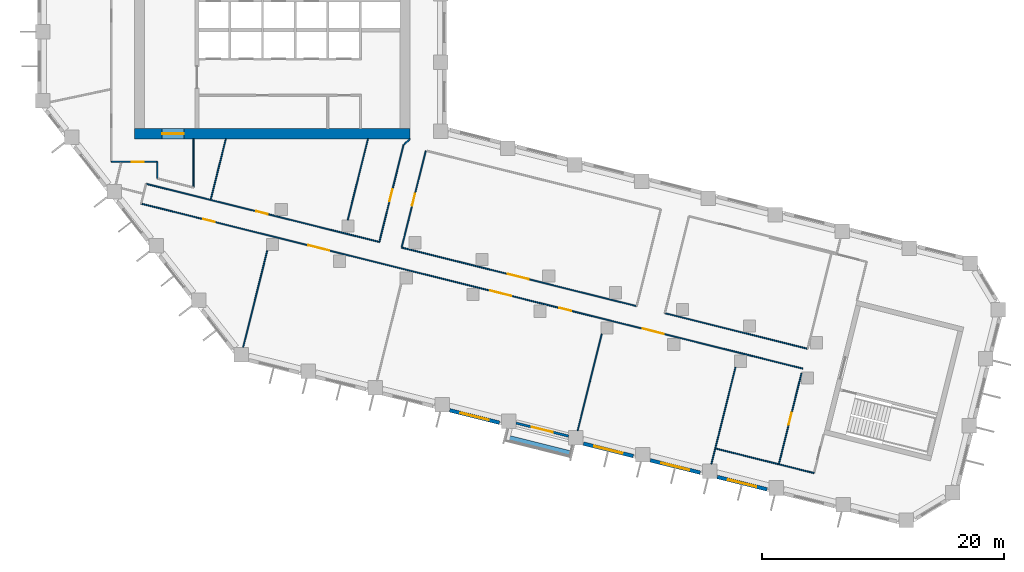
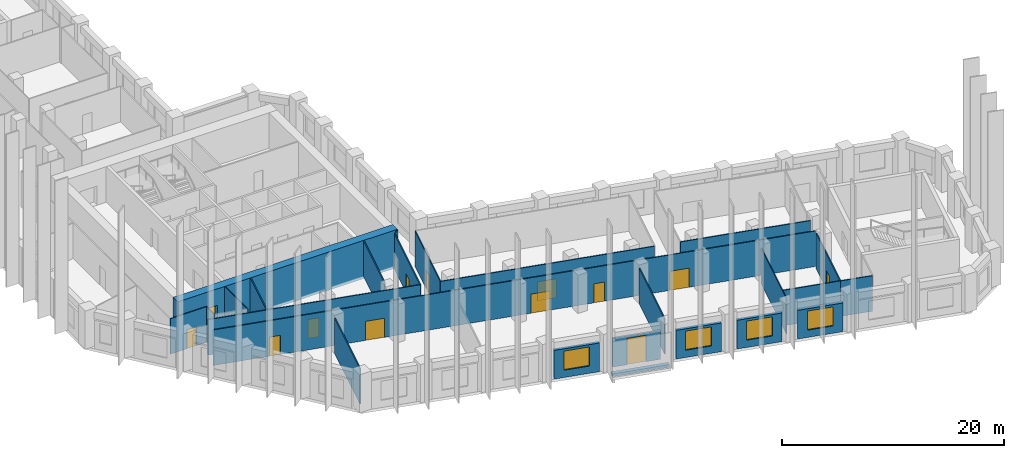
# One storey, part 3 of 10: 25 walls, 13 doors, 4 windows, 17 openings.
"""IFC4 building model written with IfcOpenShell, lengths in metres."""

from ifc_helpers import new_model, si_unit, direction, frame, frame_2d, origin, place, context, subcontext, project, spatial, rectangle, extrude, material, layer, layer_set, type_object, element, fill, save


model = new_model("IFC4")

# Units and contexts
model_context = context("Model", 3, precision=1e-05, world=origin(), true_north=direction((0.0, 1.0)))
body_context = subcontext(model_context, "Body", "Model", "MODEL_VIEW")
ifc_project = project(units=[si_unit("LENGTHUNIT", "METRE"), si_unit("AREAUNIT", "SQUARE_METRE"), si_unit("VOLUMEUNIT", "CUBIC_METRE"), si_unit("PLANEANGLEUNIT", "RADIAN"), si_unit("MASSUNIT", "GRAM", prefix="KILO")], contexts=[model_context])

# Site, building, storey
site_placement = place(None, origin())
site = spatial("IfcSite", under=ifc_project, at=site_placement, CompositionType="ELEMENT")
building_placement = place(site_placement, origin())
building = spatial("IfcBuilding", under=site, at=building_placement, Name="Meshkara Civic Tower", CompositionType="ELEMENT")
storey_placement = place(building_placement, frame((0.0, 0.0, 178.199951171875)))
storey = spatial("IfcBuildingStorey", under=building, at=storey_placement, Name="L40", CompositionType="ELEMENT", Elevation=178.199951171875)

# Wall, opening, door
ifc_material_1 = material(Name="Concrete C70", Category="concrete")
ifc_layer_1 = layer(ifc_material_1, 0.85009765625)
ifc_layer_set_1 = layer_set([ifc_layer_1], Name="Core ring wall 850 C70")
wall_type_1 = type_object("IfcWallType", Name="Core ring wall 850 C70", PredefinedType="SHEAR", material=ifc_layer_set_1)
wall_1_placement = place(storey_placement, frame((8.0, 14.52490234375, -0.300048828125), z_axis=(0.0, 0.0, 1.0), x_axis=(1.0, 0.0, 0.0)))
wall_1 = element("IfcWall", 1, at=wall_1_placement, inside=storey, type_object=wall_type_1, Name="L40-C001", PredefinedType="SHEAR", context=body_context, shape_type="SweptSolid", body=[
    extrude(rectangle(XDim=22.800048828125, YDim=0.85009765625, at=frame_2d((11.39990234375, 0.0))), origin(), (0.0, 0.0, 1.0), 4.2001953125),
])
opening_1_placement = place(wall_1_placement, frame((2.300048828125, 0.0, 0.300048828125)))
opening_1 = element("IfcOpeningElement", 2, at=opening_1_placement, cuts=wall_1, Name="Opening L40-K020", PredefinedType="OPENING", context=body_context, shape_type="SweptSolid", body=[
    extrude(rectangle(XDim=1.800048828125, YDim=2.10009765625, at=frame_2d((0.89990234375, 1.050048828125))), frame((0.0, 0.43505859375, 0.0), z_axis=(0.0, -1.0, 0.0), x_axis=(1.0, 0.0, 0.0)), (0.0, 0.0, 1.0), 0.8701171875),
])
ifc_material_2 = material(Name="Fire-rated door leaf in steel frame", Category="steel")
door_type_1 = type_object("IfcDoorType", Name="Core double door 1800 EI 60", OperationType="DOUBLE_DOOR_SINGLE_SWING", PredefinedType="DOOR", material=ifc_material_2)
door_1_placement = place(opening_1_placement, origin())
door_1 = element("IfcDoor", 3, at=door_1_placement, inside=storey, type_object=door_type_1, Name="L40-K020", OperationType="DOUBLE_DOOR_SINGLE_SWING", OverallHeight=2.10009765625, OverallWidth=1.800048828125, PredefinedType="DOOR", context=body_context, shape_type="SweptSolid", body=[
    extrude(rectangle(XDim=1.800048828125, YDim=2.10009765625, at=frame_2d((0.89990234375, 1.050048828125))), frame((0.0, 0.02490234375, 0.0), z_axis=(0.0, -1.0, 0.0), x_axis=(1.0, 0.0, 0.0)), (0.0, 0.0, 1.0), 0.050048828125),
])
fill(opening_1, door_1)

ifc_material_3 = material(Name="Corridor wall 100")
ifc_layer_2 = layer(ifc_material_3, 0.10009765625)
ifc_layer_set_2 = layer_set([ifc_layer_2], Name="Corridor wall 100")
wall_type_2 = type_object("IfcWallType", Name="Corridor wall 100", PredefinedType="PARTITIONING", material=ifc_layer_set_2)
wall_2_placement = place(storey_placement, frame((6.10009765625, 12.199951171875, 0.0), z_axis=(0.0, 0.0, 1.0), x_axis=(1.0, 0.0, 0.0)))
wall_2 = element("IfcWall", 4, at=wall_2_placement, inside=storey, type_object=wall_type_2, Name="L40-W005", PredefinedType="PARTITIONING", context=body_context, shape_type="SweptSolid", body=[
    extrude(rectangle(XDim=3.7998046875, YDim=0.10009765625, at=frame_2d((1.89990234375, 0.0))), origin(), (0.0, 0.0, 1.0), 3.900146484375),
])
opening_2_placement = place(wall_2_placement, frame((1.701904296875, 0.0, 0.0)))
opening_2 = element("IfcOpeningElement", 5, at=opening_2_placement, cuts=wall_2, Name="Opening L40-D015", PredefinedType="OPENING", context=body_context, shape_type="SweptSolid", body=[
    extrude(rectangle(XDim=1.0, YDim=2.10009765625, at=frame_2d((0.5, 1.050048828125))), frame((0.0, 0.06005859375, 0.0), z_axis=(0.0, -1.0, 0.0), x_axis=(1.0, 0.0, 0.0)), (0.0, 0.0, 1.0), 0.1201171875),
])
ifc_material_4 = material(Name="Door 1000 x 2100")
door_type_2 = type_object("IfcDoorType", Name="Door 1000 x 2100", OperationType="SINGLE_SWING_LEFT", PredefinedType="DOOR", material=ifc_material_4)
door_2_placement = place(opening_2_placement, origin())
door_2 = element("IfcDoor", 6, at=door_2_placement, inside=storey, type_object=door_type_2, Name="L40-D015", OperationType="SINGLE_SWING_RIGHT", OverallHeight=2.10009765625, OverallWidth=1.0, PredefinedType="DOOR", context=body_context, shape_type="SweptSolid", body=[
    extrude(rectangle(XDim=1.0, YDim=2.10009765625, at=frame_2d((0.5, 1.050048828125))), frame((0.0, 0.02490234375, 0.0), z_axis=(0.0, -1.0, 0.0), x_axis=(1.0, 0.0, 0.0)), (0.0, 0.0, 1.0), 0.050048828125),
])
fill(opening_2, door_2)

# Wall, openings, doors
wall_3_placement = place(storey_placement, frame((8.56494140625, 8.743896484375, 0.0), z_axis=(0.0, 0.0, 1.0), x_axis=(0.97029693432, -0.24191705035, 0.0)))
wall_3 = element("IfcWall", 7, at=wall_3_placement, inside=storey, type_object=wall_type_2, Name="L40-W006", PredefinedType="PARTITIONING", context=body_context, shape_type="SweptSolid", body=[
    extrude(rectangle(XDim=56.37451171875, YDim=0.10009765625, at=frame_2d((28.187255859375, 0.0))), origin(), (0.0, 0.0, 1.0), 3.900146484375),
])
opening_3_placement = place(wall_3_placement, frame((42.739013671875, 0.0, 0.0)))
opening_3 = element("IfcOpeningElement", 8, at=opening_3_placement, cuts=wall_3, Name="Opening L40-D003", PredefinedType="OPENING", context=body_context, shape_type="SweptSolid", body=[
    extrude(rectangle(XDim=1.800048828125, YDim=2.10009765625, at=frame_2d((0.89990234375, 1.050048828125))), frame((0.0, 0.06005859375, 0.0), z_axis=(0.0, -1.0, 0.0), x_axis=(1.0, 0.0, 0.0)), (0.0, 0.0, 1.0), 0.1201171875),
])
opening_4_placement = place(wall_3_placement, frame((14.239013671875, 0.0, 0.0)))
opening_4 = element("IfcOpeningElement", 9, at=opening_4_placement, cuts=wall_3, Name="Opening L40-D004", PredefinedType="OPENING", context=body_context, shape_type="SweptSolid", body=[
    extrude(rectangle(XDim=1.800048828125, YDim=2.10009765625, at=frame_2d((0.89990234375, 1.050048828125))), frame((0.0, 0.06005859375, 0.0), z_axis=(0.0, -1.0, 0.0), x_axis=(1.0, 0.0, 0.0)), (0.0, 0.0, 1.0), 0.1201171875),
])
opening_5_placement = place(wall_3_placement, frame((29.739990234375, 0.0, 0.0)))
opening_5 = element("IfcOpeningElement", 10, at=opening_5_placement, cuts=wall_3, Name="Opening L40-D005", PredefinedType="OPENING", context=body_context, shape_type="SweptSolid", body=[
    extrude(rectangle(XDim=1.800048828125, YDim=2.10009765625, at=frame_2d((0.89990234375, 1.050048828125))), frame((0.0, 0.06005859375, 0.0), z_axis=(0.0, -1.0, 0.0), x_axis=(1.0, 0.0, 0.0)), (0.0, 0.0, 1.0), 0.1201171875),
])
opening_6_placement = place(wall_3_placement, frame((35.639892578125, 0.0, 0.0)))
opening_6 = element("IfcOpeningElement", 11, at=opening_6_placement, cuts=wall_3, Name="Opening L40-D007", PredefinedType="OPENING", context=body_context, shape_type="SweptSolid", body=[
    extrude(rectangle(XDim=1.0, YDim=2.10009765625, at=frame_2d((0.5, 1.050048828125))), frame((0.0, 0.06005859375, 0.0), z_axis=(0.0, -1.0, 0.0), x_axis=(1.0, 0.0, 0.0)), (0.0, 0.0, 1.0), 0.1201171875),
])
opening_7_placement = place(wall_3_placement, frame((5.280029296875, 0.0, 0.0)))
opening_7 = element("IfcOpeningElement", 12, at=opening_7_placement, cuts=wall_3, Name="Opening L40-D009", PredefinedType="OPENING", context=body_context, shape_type="SweptSolid", body=[
    extrude(rectangle(XDim=1.0, YDim=2.10009765625, at=frame_2d((0.5, 1.050048828125))), frame((0.0, 0.06005859375, 0.0), z_axis=(0.0, -1.0, 0.0), x_axis=(1.0, 0.0, 0.0)), (0.0, 0.0, 1.0), 0.1201171875),
])
door_3_placement = place(opening_6_placement, origin())
door_3 = element("IfcDoor", 13, at=door_3_placement, inside=storey, type_object=door_type_2, Name="L40-D007", OperationType="SINGLE_SWING_LEFT", OverallHeight=2.10009765625, OverallWidth=1.0, PredefinedType="DOOR", context=body_context, shape_type="SweptSolid", body=[
    extrude(rectangle(XDim=1.0, YDim=2.10009765625, at=frame_2d((0.5, 1.050048828125))), frame((0.0, 0.02490234375, 0.0), z_axis=(0.0, -1.0, 0.0), x_axis=(1.0, 0.0, 0.0)), (0.0, 0.0, 1.0), 0.050048828125),
])
fill(opening_6, door_3)
door_4_placement = place(opening_7_placement, origin())
door_4 = element("IfcDoor", 14, at=door_4_placement, inside=storey, type_object=door_type_2, Name="L40-D009", OperationType="SINGLE_SWING_LEFT", OverallHeight=2.10009765625, OverallWidth=1.0, PredefinedType="DOOR", context=body_context, shape_type="SweptSolid", body=[
    extrude(rectangle(XDim=1.0, YDim=2.10009765625, at=frame_2d((0.5, 1.050048828125))), frame((0.0, 0.02490234375, 0.0), z_axis=(0.0, -1.0, 0.0), x_axis=(1.0, 0.0, 0.0)), (0.0, 0.0, 1.0), 0.050048828125),
])
fill(opening_7, door_4)
ifc_material_5 = material(Name="Door pair 1800 x 2100")
door_type_3 = type_object("IfcDoorType", Name="Door pair 1800 x 2100", OperationType="SINGLE_SWING_LEFT", PredefinedType="DOOR", material=ifc_material_5)
door_5_placement = place(opening_3_placement, origin())
door_5 = element("IfcDoor", 15, at=door_5_placement, inside=storey, type_object=door_type_3, Name="L40-D003", OperationType="DOUBLE_DOOR_SINGLE_SWING", OverallHeight=2.10009765625, OverallWidth=1.800048828125, PredefinedType="DOOR", context=body_context, shape_type="SweptSolid", body=[
    extrude(rectangle(XDim=1.800048828125, YDim=2.10009765625, at=frame_2d((0.89990234375, 1.050048828125))), frame((0.0, 0.02490234375, 0.0), z_axis=(0.0, -1.0, 0.0), x_axis=(1.0, 0.0, 0.0)), (0.0, 0.0, 1.0), 0.050048828125),
])
fill(opening_3, door_5)
door_6_placement = place(opening_4_placement, origin())
door_6 = element("IfcDoor", 16, at=door_6_placement, inside=storey, type_object=door_type_3, Name="L40-D004", OperationType="DOUBLE_DOOR_SINGLE_SWING", OverallHeight=2.10009765625, OverallWidth=1.800048828125, PredefinedType="DOOR", context=body_context, shape_type="SweptSolid", body=[
    extrude(rectangle(XDim=1.800048828125, YDim=2.10009765625, at=frame_2d((0.89990234375, 1.050048828125))), frame((0.0, 0.02490234375, 0.0), z_axis=(0.0, -1.0, 0.0), x_axis=(1.0, 0.0, 0.0)), (0.0, 0.0, 1.0), 0.050048828125),
])
fill(opening_4, door_6)
door_7_placement = place(opening_5_placement, origin())
door_7 = element("IfcDoor", 17, at=door_7_placement, inside=storey, type_object=door_type_3, Name="L40-D005", OperationType="DOUBLE_DOOR_SINGLE_SWING", OverallHeight=2.10009765625, OverallWidth=1.800048828125, PredefinedType="DOOR", context=body_context, shape_type="SweptSolid", body=[
    extrude(rectangle(XDim=1.800048828125, YDim=2.10009765625, at=frame_2d((0.89990234375, 1.050048828125))), frame((0.0, 0.02490234375, 0.0), z_axis=(0.0, -1.0, 0.0), x_axis=(1.0, 0.0, 0.0)), (0.0, 0.0, 1.0), 0.050048828125),
])
fill(opening_5, door_7)

# Wall, opening, door
wall_4_placement = place(storey_placement, frame((8.972900390625, 10.382080078125, 0.0), z_axis=(0.0, 0.0, 1.0), x_axis=(0.970286808807, -0.241957658808, 0.0)))
wall_4 = element("IfcWall", 18, at=wall_4_placement, inside=storey, type_object=wall_type_2, Name="L40-W007", PredefinedType="PARTITIONING", context=body_context, shape_type="SweptSolid", body=[
    extrude(rectangle(XDim=19.879638671875, YDim=0.10009765625, at=frame_2d((9.93994140625, 0.0))), origin(), (0.0, 0.0, 1.0), 3.900146484375),
])
opening_8_placement = place(wall_4_placement, frame((9.384033203125, 0.0, 0.0)))
opening_8 = element("IfcOpeningElement", 19, at=opening_8_placement, cuts=wall_4, Name="Opening L40-D010", PredefinedType="OPENING", context=body_context, shape_type="SweptSolid", body=[
    extrude(rectangle(XDim=1.0, YDim=2.10009765625, at=frame_2d((0.5, 1.050048828125))), frame((0.0, 0.06005859375, 0.0), z_axis=(0.0, -1.0, 0.0), x_axis=(1.0, 0.0, 0.0)), (0.0, 0.0, 1.0), 0.1201171875),
])
door_8_placement = place(opening_8_placement, origin())
door_8 = element("IfcDoor", 20, at=door_8_placement, inside=storey, type_object=door_type_2, Name="L40-D010", OperationType="SINGLE_SWING_LEFT", OverallHeight=2.10009765625, OverallWidth=1.0, PredefinedType="DOOR", context=body_context, shape_type="SweptSolid", body=[
    extrude(rectangle(XDim=1.0, YDim=2.10009765625, at=frame_2d((0.5, 1.050048828125))), frame((0.0, 0.02490234375, 0.0), z_axis=(0.0, -1.0, 0.0), x_axis=(1.0, 0.0, 0.0)), (0.0, 0.0, 1.0), 0.050048828125),
])
fill(opening_8, door_8)

# Walls
wall_5_placement = place(storey_placement, frame((9.89990234375, 12.199951171875, 0.0), z_axis=(0.0, 0.0, 1.0), x_axis=(0.0, -1.0, 0.0)))
element("IfcWall", 21, at=wall_5_placement, inside=storey, type_object=wall_type_2, Name="L40-W010", PredefinedType="PARTITIONING", context=body_context, shape_type="SweptSolid", body=[
    extrude(rectangle(XDim=1.3740234375, YDim=0.10009765625, at=frame_2d((0.68701171875, 0.0))), origin(), (0.0, 0.0, 1.0), 3.900146484375),
])
wall_6_placement = place(storey_placement, frame((12.89990234375, 10.077880859375, 0.0), z_axis=(0.0, 0.0, 1.0), x_axis=(0.0, 1.0, 0.0)))
element("IfcWall", 22, at=wall_6_placement, inside=storey, type_object=wall_type_2, Name="L40-W016", PredefinedType="PARTITIONING", context=body_context, shape_type="SweptSolid", body=[
    extrude(rectangle(XDim=4.022216796875, YDim=0.10009765625, at=frame_2d((2.01123046875, 0.0))), origin(), (0.0, 0.0, 1.0), 3.900146484375),
])

# Wall, opening, door
wall_7_placement = place(storey_placement, frame((30.10498046875, 5.113037109375, 0.0), z_axis=(0.0, 0.0, 1.0), x_axis=(0.241984285369, 0.970280168629, 0.0)))
wall_7 = element("IfcWall", 23, at=wall_7_placement, inside=storey, type_object=wall_type_2, Name="L40-W026", PredefinedType="PARTITIONING", context=body_context, shape_type="SweptSolid", body=[
    extrude(rectangle(XDim=8.231689453125, YDim=0.10009765625, at=frame_2d((4.11572265625, 0.0))), origin(), (0.0, 0.0, 1.0), 3.900146484375),
])
opening_9_placement = place(wall_7_placement, frame((3.580078125, 0.0, 0.0)))
opening_9 = element("IfcOpeningElement", 24, at=opening_9_placement, cuts=wall_7, Name="Opening L40-D012", PredefinedType="OPENING", context=body_context, shape_type="SweptSolid", body=[
    extrude(rectangle(XDim=1.0, YDim=2.10009765625, at=frame_2d((0.5, 1.050048828125))), frame((0.0, 0.06005859375, 0.0), z_axis=(0.0, -1.0, 0.0), x_axis=(1.0, 0.0, 0.0)), (0.0, 0.0, 1.0), 0.1201171875),
])
door_9_placement = place(opening_9_placement, origin())
door_9 = element("IfcDoor", 25, at=door_9_placement, inside=storey, type_object=door_type_2, Name="L40-D012", OperationType="SINGLE_SWING_RIGHT", OverallHeight=2.10009765625, OverallWidth=1.0, PredefinedType="DOOR", context=body_context, shape_type="SweptSolid", body=[
    extrude(rectangle(XDim=1.0, YDim=2.10009765625, at=frame_2d((0.5, 1.050048828125))), frame((0.0, 0.02490234375, 0.0), z_axis=(0.0, -1.0, 0.0), x_axis=(1.0, 0.0, 0.0)), (0.0, 0.0, 1.0), 0.050048828125),
])
fill(opening_9, door_9)

wall_8_placement = place(storey_placement, frame((30.259033203125, 13.5830078125, 0.0), z_axis=(0.0, 0.0, 1.0), x_axis=(-0.241888494143, -0.970304053584, 0.0)))
wall_8 = element("IfcWall", 26, at=wall_8_placement, inside=storey, type_object=wall_type_2, Name="L40-W027", PredefinedType="PARTITIONING", context=body_context, shape_type="SweptSolid", body=[
    extrude(rectangle(XDim=8.256103515625, YDim=0.10009765625, at=frame_2d((4.1279296875, 0.0))), origin(), (0.0, 0.0, 1.0), 3.900146484375),
])
opening_10_placement = place(wall_8_placement, frame((3.780029296875, 0.0, 0.0)))
opening_10 = element("IfcOpeningElement", 27, at=opening_10_placement, cuts=wall_8, Name="Opening L40-D011", PredefinedType="OPENING", context=body_context, shape_type="SweptSolid", body=[
    extrude(rectangle(XDim=1.0, YDim=2.10009765625, at=frame_2d((0.5, 1.050048828125))), frame((0.0, 0.06005859375, 0.0), z_axis=(0.0, -1.0, 0.0), x_axis=(1.0, 0.0, 0.0)), (0.0, 0.0, 1.0), 0.1201171875),
])
door_10_placement = place(opening_10_placement, origin())
door_10 = element("IfcDoor", 28, at=door_10_placement, inside=storey, type_object=door_type_2, Name="L40-D011", OperationType="SINGLE_SWING_LEFT", OverallHeight=2.10009765625, OverallWidth=1.0, PredefinedType="DOOR", context=body_context, shape_type="SweptSolid", body=[
    extrude(rectangle(XDim=1.0, YDim=2.10009765625, at=frame_2d((0.5, 1.050048828125))), frame((0.0, 0.02490234375, 0.0), z_axis=(0.0, -1.0, 0.0), x_axis=(1.0, 0.0, 0.0)), (0.0, 0.0, 1.0), 0.050048828125),
])
fill(opening_10, door_10)

# Wall
wall_9_placement = place(storey_placement, frame((30.800048828125, 14.10009765625, 0.0), z_axis=(0.0, 0.0, 1.0), x_axis=(-0.722911025189, -0.690941133281, 0.0)))
element("IfcWall", 29, at=wall_9_placement, inside=storey, type_object=wall_type_2, Name="L40-W028", PredefinedType="PARTITIONING", context=body_context, shape_type="SweptSolid", body=[
    extrude(rectangle(XDim=0.748291015625, YDim=0.10009765625, at=frame_2d((0.3740234375, 0.0))), origin(), (0.0, 0.0, 1.0), 3.900146484375),
])

# Wall, opening, door
wall_10_placement = place(storey_placement, frame((49.535888671875, 0.26806640625, 0.0), z_axis=(0.0, 0.0, 1.0), x_axis=(-0.970292195994, 0.241936054348, 0.0)))
wall_10 = element("IfcWall", 30, at=wall_10_placement, inside=storey, type_object=wall_type_2, Name="L40-W030", PredefinedType="PARTITIONING", context=body_context, shape_type="SweptSolid", body=[
    extrude(rectangle(XDim=20.02587890625, YDim=0.10009765625, at=frame_2d((10.012939453125, 0.0))), origin(), (0.0, 0.0, 1.0), 3.900146484375),
])
opening_11_placement = place(wall_10_placement, frame((9.179931640625, 0.0, 0.0)))
opening_11 = element("IfcOpeningElement", 31, at=opening_11_placement, cuts=wall_10, Name="Opening L40-D006", PredefinedType="OPENING", context=body_context, shape_type="SweptSolid", body=[
    extrude(rectangle(XDim=1.800048828125, YDim=2.10009765625, at=frame_2d((0.89990234375, 1.050048828125))), frame((0.0, 0.06005859375, 0.0), z_axis=(0.0, -1.0, 0.0), x_axis=(1.0, 0.0, 0.0)), (0.0, 0.0, 1.0), 0.1201171875),
])
door_11_placement = place(opening_11_placement, origin())
door_11 = element("IfcDoor", 32, at=door_11_placement, inside=storey, type_object=door_type_3, Name="L40-D006", OperationType="DOUBLE_DOOR_SINGLE_SWING", OverallHeight=2.10009765625, OverallWidth=1.800048828125, PredefinedType="DOOR", context=body_context, shape_type="SweptSolid", body=[
    extrude(rectangle(XDim=1.800048828125, YDim=2.10009765625, at=frame_2d((0.89990234375, 1.050048828125))), frame((0.0, 0.02490234375, 0.0), z_axis=(0.0, -1.0, 0.0), x_axis=(1.0, 0.0, 0.0)), (0.0, 0.0, 1.0), 0.050048828125),
])
fill(opening_11, door_11)

# Wall
wall_11_placement = place(storey_placement, frame((61.2919921875, -12.80810546875, 0.0), z_axis=(0.0, 0.0, 1.0), x_axis=(0.970290716908, -0.241941986192, 0.0)))
element("IfcWall", 33, at=wall_11_placement, inside=storey, type_object=wall_type_2, Name="L40-W034", PredefinedType="PARTITIONING", context=body_context, shape_type="SweptSolid", body=[
    extrude(rectangle(XDim=3.0, YDim=0.10009765625, at=frame_2d((1.5, 0.0))), origin(), (0.0, 0.0, 1.0), 3.900146484375),
])

# Wall, opening, door
wall_12_placement = place(storey_placement, frame((63.1689453125, -5.279052734375, 0.0), z_axis=(0.0, 0.0, 1.0), x_axis=(-0.241891494948, -0.970303305504, 0.0)))
wall_12 = element("IfcWall", 34, at=wall_12_placement, inside=storey, type_object=wall_type_2, Name="L40-W035", PredefinedType="PARTITIONING", context=body_context, shape_type="SweptSolid", body=[
    extrude(rectangle(XDim=7.759521484375, YDim=0.10009765625, at=frame_2d((3.8798828125, 0.0))), origin(), (0.0, 0.0, 1.0), 3.900146484375),
])
opening_12_placement = place(wall_12_placement, frame((3.3798828125, 0.0, 0.0)))
opening_12 = element("IfcOpeningElement", 35, at=opening_12_placement, cuts=wall_12, Name="Opening L40-D001", PredefinedType="OPENING", context=body_context, shape_type="SweptSolid", body=[
    extrude(rectangle(XDim=1.0, YDim=2.10009765625, at=frame_2d((0.5, 1.050048828125))), frame((0.0, 0.06005859375, 0.0), z_axis=(0.0, -1.0, 0.0), x_axis=(1.0, 0.0, 0.0)), (0.0, 0.0, 1.0), 0.1201171875),
])
door_12_placement = place(opening_12_placement, origin())
door_12 = element("IfcDoor", 36, at=door_12_placement, inside=storey, type_object=door_type_2, Name="L40-D001", OperationType="SINGLE_SWING_LEFT", OverallHeight=2.10009765625, OverallWidth=1.0, PredefinedType="DOOR", context=body_context, shape_type="SweptSolid", body=[
    extrude(rectangle(XDim=1.0, YDim=2.10009765625, at=frame_2d((0.5, 1.050048828125))), frame((0.0, 0.02490234375, 0.0), z_axis=(0.0, -1.0, 0.0), x_axis=(1.0, 0.0, 0.0)), (0.0, 0.0, 1.0), 0.050048828125),
])
fill(opening_12, door_12)

# Wall
wall_13_placement = place(storey_placement, frame((63.674072265625, -3.257080078125, 0.0), z_axis=(0.0, 0.0, 1.0), x_axis=(-0.970300413684, 0.241903094658, 0.0)))
element("IfcWall", 37, at=wall_13_placement, inside=storey, type_object=wall_type_2, Name="L40-W036", PredefinedType="PARTITIONING", context=body_context, shape_type="SweptSolid", body=[
    extrude(rectangle(XDim=12.170654296875, YDim=0.10009765625, at=frame_2d((6.08544921875, 0.0))), origin(), (0.0, 0.0, 1.0), 3.900146484375),
])

# Wall, opening, window
ifc_material_6 = material(Name="Insulated infill panel with bronze anodised aluminium cladding", Category="aluminium")
ifc_layer_3 = layer(ifc_material_6, 0.300048828125)
ifc_layer_set_3 = layer_set([ifc_layer_3], Name="EXTERNAL INFILL WALL 300")
wall_type_3 = type_object("IfcWallType", Name="EXTERNAL INFILL WALL 300", PredefinedType="SOLIDWALL", material=ifc_layer_set_3)
wall_14_placement = place(storey_placement, frame((34.075927734375, -8.342041015625, 0.0), z_axis=(0.0, 0.0, 1.0), x_axis=(0.970318118028, -0.241832069473, 0.0)))
wall_14 = element("IfcWall", 38, at=wall_14_placement, inside=storey, type_object=wall_type_3, Name="External wall", PredefinedType="SOLIDWALL", context=body_context, shape_type="SweptSolid", body=[
    extrude(rectangle(XDim=4.24609375, YDim=0.300048828125, at=frame_2d((2.123046875, 0.0))), origin(), (0.0, 0.0, 1.0), 3.150146484375),
])
opening_13_placement = place(wall_14_placement, frame((0.923095703125, 0.0, 0.800048828125)))
opening_13 = element("IfcOpeningElement", 39, at=opening_13_placement, cuts=wall_14, Name="Opening W7", PredefinedType="OPENING", context=body_context, shape_type="SweptSolid", body=[
    extrude(rectangle(XDim=2.39990234375, YDim=2.10009765625, at=frame_2d((1.199951171875, 1.050048828125))), frame((0.0, 0.159912109375, 0.0), z_axis=(0.0, -1.0, 0.0), x_axis=(1.0, 0.0, 0.0)), (0.0, 0.0, 1.0), 0.320068359375),
])
ifc_material_7 = material(Name="Tinted double glazing", Category="glass")
window_type = type_object("IfcWindowType", Name="WINDOW 2400x2100", PartitioningType="DOUBLE_PANEL_VERTICAL", PredefinedType="WINDOW", material=ifc_material_7)
window_1_placement = place(opening_13_placement, origin())
window_1 = element("IfcWindow", 40, at=window_1_placement, inside=storey, type_object=window_type, Name="Window", OverallHeight=2.10009765625, OverallWidth=2.39990234375, PartitioningType="DOUBLE_PANEL_VERTICAL", PredefinedType="WINDOW", context=body_context, shape_type="SweptSolid", body=[
    extrude(rectangle(XDim=2.39990234375, YDim=2.10009765625, at=frame_2d((1.199951171875, 1.050048828125))), frame((0.0, 0.030029296875, 0.0), z_axis=(0.0, -1.0, 0.0), x_axis=(1.0, 0.0, 0.0)), (0.0, 0.0, 1.0), 0.06005859375),
])
fill(opening_13, window_1)

wall_15_placement = place(storey_placement, frame((45.137939453125, -11.09912109375, 0.0), z_axis=(0.0, 0.0, 1.0), x_axis=(0.970304663212, -0.241886048688, 0.0)))
wall_15 = element("IfcWall", 41, at=wall_15_placement, inside=storey, type_object=wall_type_3, Name="External wall", PredefinedType="SOLIDWALL", context=body_context, shape_type="SweptSolid", body=[
    extrude(rectangle(XDim=4.2451171875, YDim=0.300048828125, at=frame_2d((2.12255859375, 0.0))), origin(), (0.0, 0.0, 1.0), 3.150146484375),
])
opening_14_placement = place(wall_15_placement, frame((0.922119140625, 0.0, 0.800048828125)))
opening_14 = element("IfcOpeningElement", 42, at=opening_14_placement, cuts=wall_15, Name="Opening W7", PredefinedType="OPENING", context=body_context, shape_type="SweptSolid", body=[
    extrude(rectangle(XDim=2.39990234375, YDim=2.10009765625, at=frame_2d((1.199951171875, 1.050048828125))), frame((0.0, 0.159912109375, 0.0), z_axis=(0.0, -1.0, 0.0), x_axis=(1.0, 0.0, 0.0)), (0.0, 0.0, 1.0), 0.320068359375),
])
window_2_placement = place(opening_14_placement, origin())
window_2 = element("IfcWindow", 43, at=window_2_placement, inside=storey, type_object=window_type, Name="Window", OverallHeight=2.10009765625, OverallWidth=2.39990234375, PartitioningType="DOUBLE_PANEL_VERTICAL", PredefinedType="WINDOW", context=body_context, shape_type="SweptSolid", body=[
    extrude(rectangle(XDim=2.39990234375, YDim=2.10009765625, at=frame_2d((1.199951171875, 1.050048828125))), frame((0.0, 0.030029296875, 0.0), z_axis=(0.0, -1.0, 0.0), x_axis=(1.0, 0.0, 0.0)), (0.0, 0.0, 1.0), 0.06005859375),
])
fill(opening_14, window_2)

wall_16_placement = place(storey_placement, frame((50.66796875, -12.47802734375, 0.0), z_axis=(0.0, 0.0, 1.0), x_axis=(0.970318118028, -0.241832069473, 0.0)))
wall_16 = element("IfcWall", 44, at=wall_16_placement, inside=storey, type_object=wall_type_3, Name="External wall", PredefinedType="SOLIDWALL", context=body_context, shape_type="SweptSolid", body=[
    extrude(rectangle(XDim=4.24609375, YDim=0.300048828125, at=frame_2d((2.123046875, 0.0))), origin(), (0.0, 0.0, 1.0), 3.150146484375),
])
opening_15_placement = place(wall_16_placement, frame((0.923095703125, 0.0, 0.800048828125)))
opening_15 = element("IfcOpeningElement", 45, at=opening_15_placement, cuts=wall_16, Name="Opening W7", PredefinedType="OPENING", context=body_context, shape_type="SweptSolid", body=[
    extrude(rectangle(XDim=2.39990234375, YDim=2.10009765625, at=frame_2d((1.199951171875, 1.050048828125))), frame((0.0, 0.159912109375, 0.0), z_axis=(0.0, -1.0, 0.0), x_axis=(1.0, 0.0, 0.0)), (0.0, 0.0, 1.0), 0.320068359375),
])
window_3_placement = place(opening_15_placement, origin())
window_3 = element("IfcWindow", 46, at=window_3_placement, inside=storey, type_object=window_type, Name="Window", OverallHeight=2.10009765625, OverallWidth=2.39990234375, PartitioningType="DOUBLE_PANEL_VERTICAL", PredefinedType="WINDOW", context=body_context, shape_type="SweptSolid", body=[
    extrude(rectangle(XDim=2.39990234375, YDim=2.10009765625, at=frame_2d((1.199951171875, 1.050048828125))), frame((0.0, 0.030029296875, 0.0), z_axis=(0.0, -1.0, 0.0), x_axis=(1.0, 0.0, 0.0)), (0.0, 0.0, 1.0), 0.06005859375),
])
fill(opening_15, window_3)

wall_17_placement = place(storey_placement, frame((56.198974609375, -13.85693359375, 0.0), z_axis=(0.0, 0.0, 1.0), x_axis=(0.97030462482, -0.241886202691, 0.0)))
wall_17 = element("IfcWall", 47, at=wall_17_placement, inside=storey, type_object=wall_type_3, Name="External wall", PredefinedType="SOLIDWALL", context=body_context, shape_type="SweptSolid", body=[
    extrude(rectangle(XDim=4.24609375, YDim=0.300048828125, at=frame_2d((2.123046875, 0.0))), origin(), (0.0, 0.0, 1.0), 3.150146484375),
])
opening_16_placement = place(wall_17_placement, frame((0.923095703125, 0.0, 0.800048828125)))
opening_16 = element("IfcOpeningElement", 48, at=opening_16_placement, cuts=wall_17, Name="Opening W7", PredefinedType="OPENING", context=body_context, shape_type="SweptSolid", body=[
    extrude(rectangle(XDim=2.39990234375, YDim=2.10009765625, at=frame_2d((1.199951171875, 1.050048828125))), frame((0.0, 0.159912109375, 0.0), z_axis=(0.0, -1.0, 0.0), x_axis=(1.0, 0.0, 0.0)), (0.0, 0.0, 1.0), 0.320068359375),
])
window_4_placement = place(opening_16_placement, origin())
window_4 = element("IfcWindow", 49, at=window_4_placement, inside=storey, type_object=window_type, Name="Window", OverallHeight=2.10009765625, OverallWidth=2.39990234375, PartitioningType="DOUBLE_PANEL_VERTICAL", PredefinedType="WINDOW", context=body_context, shape_type="SweptSolid", body=[
    extrude(rectangle(XDim=2.39990234375, YDim=2.10009765625, at=frame_2d((1.199951171875, 1.050048828125))), frame((0.0, 0.030029296875, 0.0), z_axis=(0.0, -1.0, 0.0), x_axis=(1.0, 0.0, 0.0)), (0.0, 0.0, 1.0), 0.06005859375),
])
fill(opening_16, window_4)

# Wall, opening, door
ifc_material_8 = material(Name="Insulated infill panel with bronze anodised aluminium cladding", Category="aluminium")
ifc_layer_4 = layer(ifc_material_8, 0.199951171875)
ifc_layer_set_4 = layer_set([ifc_layer_4], Name="LOGGIA BACK WALL 200")
wall_type_4 = type_object("IfcWallType", Name="LOGGIA BACK WALL 200", PredefinedType="SOLIDWALL", material=ifc_layer_set_4)
wall_18_placement = place(storey_placement, frame((39.573974609375, -9.403076171875, 0.0), z_axis=(0.0, 0.0, 1.0), x_axis=(0.970296737599, -0.241917839369, 0.0)))
wall_18 = element("IfcWall", 50, at=wall_18_placement, inside=storey, type_object=wall_type_4, Name="Loggia wall", PredefinedType="SOLIDWALL", context=body_context, shape_type="SweptSolid", body=[
    extrude(rectangle(XDim=4.463623046875, YDim=0.199951171875, at=frame_2d((2.23193359375, 0.0))), origin(), (0.0, 0.0, 1.0), 3.150146484375),
])
opening_17_placement = place(wall_18_placement, frame((1.3310546875, 0.0, 0.0)))
opening_17 = element("IfcOpeningElement", 51, at=opening_17_placement, cuts=wall_18, Name="Opening L40-L002", PredefinedType="OPENING", context=body_context, shape_type="SweptSolid", body=[
    extrude(rectangle(XDim=1.800048828125, YDim=2.89990234375, at=frame_2d((0.89990234375, 1.449951171875))), frame((0.0, 0.10986328125, 0.0), z_axis=(0.0, -1.0, 0.0), x_axis=(1.0, 0.0, 0.0)), (0.0, 0.0, 1.0), 0.219970703125),
])
ifc_material_9 = material(Name="Tinted double glazing", Category="glass")
door_type_4 = type_object("IfcDoorType", Name="LOGGIA DOOR 1800x2900", OperationType="DOUBLE_DOOR_SINGLE_SWING", PredefinedType="DOOR", material=ifc_material_9)
door_13_placement = place(opening_17_placement, origin())
door_13 = element("IfcDoor", 52, at=door_13_placement, inside=storey, type_object=door_type_4, Name="L40-L002", OperationType="DOUBLE_DOOR_SINGLE_SWING", OverallHeight=2.89990234375, OverallWidth=1.800048828125, PredefinedType="DOOR", context=body_context, shape_type="SweptSolid", body=[
    extrude(rectangle(XDim=1.800048828125, YDim=2.89990234375, at=frame_2d((0.89990234375, 1.449951171875))), frame((0.0, 0.02490234375, 0.0), z_axis=(0.0, -1.0, 0.0), x_axis=(1.0, 0.0, 0.0)), (0.0, 0.0, 1.0), 0.050048828125),
])
fill(opening_17, door_13)

# Walls
ifc_material_10 = material(Name="Concrete C40", Category="concrete")
ifc_layer_5 = layer(ifc_material_10, 0.39990234375)
ifc_layer_set_5 = layer_set([ifc_layer_5], Name="PLANTER TRAY")
wall_type_5 = type_object("IfcWallType", Name="PLANTER TRAY", PredefinedType="SOLIDWALL", material=ifc_layer_set_5)
wall_19_placement = place(storey_placement, frame((38.81689453125, -10.5849609375, 0.0), z_axis=(0.0, 0.0, 1.0), x_axis=(0.970281652924, -0.241978333739, 0.0)))
element("IfcWall", 53, at=wall_19_placement, inside=storey, type_object=wall_type_5, Name="Planter", PredefinedType="SOLIDWALL", context=body_context, shape_type="SweptSolid", body=[
    extrude(rectangle(XDim=5.360595703125, YDim=0.39990234375, at=frame_2d((2.68017578125, 0.0))), origin(), (0.0, 0.0, 1.0), 0.300048828125),
])
ifc_material_11 = material(Name="Partition 100")
ifc_layer_6 = layer(ifc_material_11, 0.10009765625)
ifc_layer_set_6 = layer_set([ifc_layer_6], Name="Partition 100")
wall_type_6 = type_object("IfcWallType", Name="Partition 100", PredefinedType="PARTITIONING", material=ifc_layer_set_6)
wall_20_placement = place(storey_placement, frame((14.324951171875, 9.09912109375, 0.0), z_axis=(0.0, 0.0, 1.0), x_axis=(0.241956019685, 0.970287217548, 0.0)))
element("IfcWall", 54, at=wall_20_placement, inside=storey, type_object=wall_type_6, Name="L40-W050", PredefinedType="PARTITIONING", context=body_context, shape_type="SweptSolid", body=[
    extrude(rectangle(XDim=5.154052734375, YDim=0.10009765625, at=frame_2d((2.5771484375, 0.0))), origin(), (0.0, 0.0, 1.0), 3.900146484375),
])
wall_21_placement = place(storey_placement, frame((17.0009765625, -3.137939453125, 0.0), z_axis=(0.0, 0.0, 1.0), x_axis=(0.241922303467, 0.970295624583, 0.0)))
element("IfcWall", 55, at=wall_21_placement, inside=storey, type_object=wall_type_6, Name="L40-W051", PredefinedType="PARTITIONING", context=body_context, shape_type="SweptSolid", body=[
    extrude(rectangle(XDim=8.242919921875, YDim=0.10009765625, at=frame_2d((4.12158203125, 0.0))), origin(), (0.0, 0.0, 1.0), 3.900146484375),
])
wall_22_placement = place(storey_placement, frame((25.64892578125, 7.39208984375, 0.0), z_axis=(0.0, 0.0, 1.0), x_axis=(0.241870819599, 0.970308459525, 0.0)))
element("IfcWall", 56, at=wall_22_placement, inside=storey, type_object=wall_type_6, Name="L40-W053", PredefinedType="PARTITIONING", context=body_context, shape_type="SweptSolid", body=[
    extrude(rectangle(XDim=6.913330078125, YDim=0.10009765625, at=frame_2d((3.45654296875, 0.0))), origin(), (0.0, 0.0, 1.0), 3.900146484375),
])
wall_23_placement = place(storey_placement, frame((44.655029296875, -10.031982421875, 0.0), z_axis=(0.0, 0.0, 1.0), x_axis=(0.241922228554, 0.970295643261, 0.0)))
element("IfcWall", 57, at=wall_23_placement, inside=storey, type_object=wall_type_6, Name="L40-W055", PredefinedType="PARTITIONING", context=body_context, shape_type="SweptSolid", body=[
    extrude(rectangle(XDim=8.241943359375, YDim=0.10009765625, at=frame_2d((4.12109375, 0.0))), origin(), (0.0, 0.0, 1.0), 3.900146484375),
])
wall_24_placement = place(storey_placement, frame((55.716064453125, -12.7900390625, 0.0), z_axis=(0.0, 0.0, 1.0), x_axis=(0.241894418317, 0.970302576719, 0.0)))
element("IfcWall", 58, at=wall_24_placement, inside=storey, type_object=wall_type_6, Name="L40-W056", PredefinedType="PARTITIONING", context=body_context, shape_type="SweptSolid", body=[
    extrude(rectangle(XDim=8.242919921875, YDim=0.10009765625, at=frame_2d((4.12158203125, 0.0))), origin(), (0.0, 0.0, 1.0), 3.900146484375),
])
wall_25_placement = place(storey_placement, frame((56.0869140625, -11.510009765625, 0.0), z_axis=(0.0, 0.0, 1.0), x_axis=(0.970281444431, -0.241979169751, 0.0)))
element("IfcWall", 59, at=wall_25_placement, inside=storey, type_object=wall_type_6, Name="L40-W057", PredefinedType="PARTITIONING", context=body_context, shape_type="SweptSolid", body=[
    extrude(rectangle(XDim=5.368408203125, YDim=0.10009765625, at=frame_2d((2.68408203125, 0.0))), origin(), (0.0, 0.0, 1.0), 3.900146484375),
])

save(model, "model.ifc")
